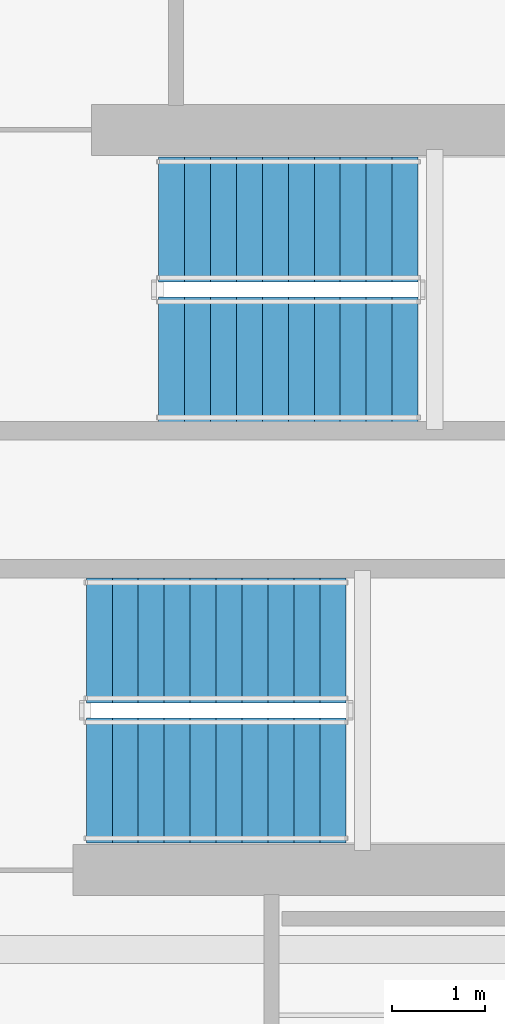
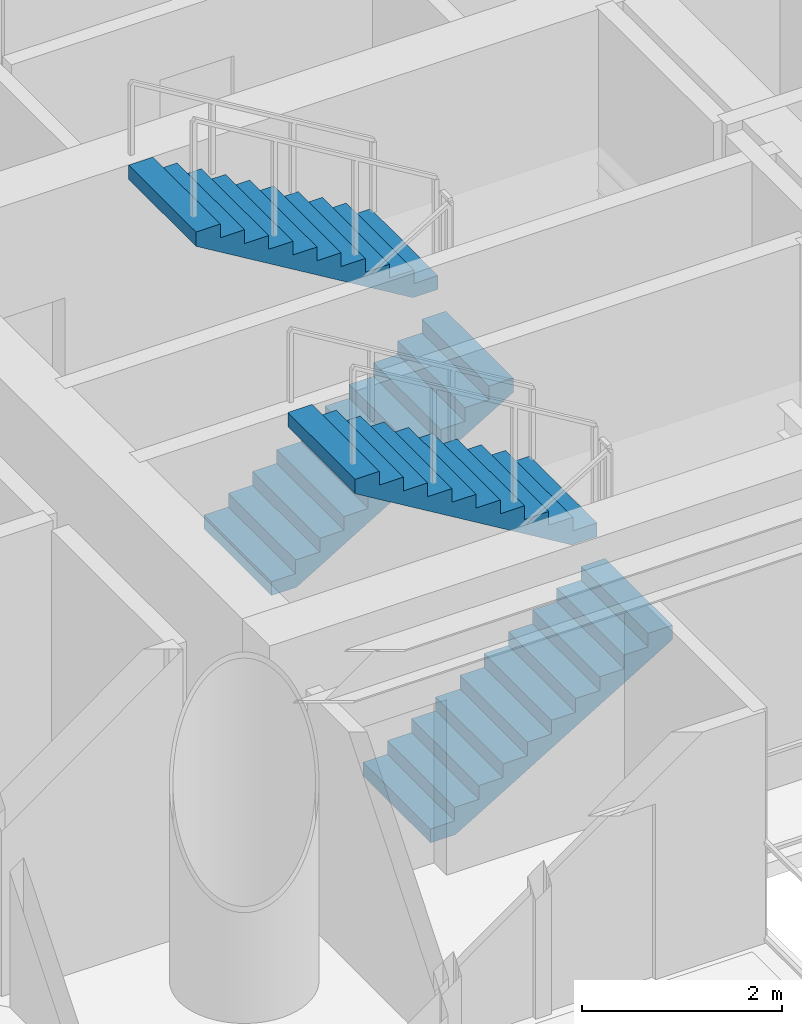
# One storey, part 16 of 19: 4 stair flights, 2 elements without a shape of their own.
"""IFC4 building model written with IfcOpenShell, lengths in metres."""

from ifc_helpers import new_model, si_unit, direction, frame, origin, place, context, subcontext, project, spatial, polyline, outline, extrude, material, type_object, element, aggregate, save


model = new_model("IFC4")

# Units and contexts
model_context = context("Model", 3, precision=1e-05, world=origin(), true_north=direction((0.0, 1.0)))
body_context = subcontext(model_context, "Body", "Model", "MODEL_VIEW")
ifc_project = project(units=[si_unit("LENGTHUNIT", "METRE"), si_unit("AREAUNIT", "SQUARE_METRE"), si_unit("VOLUMEUNIT", "CUBIC_METRE"), si_unit("PLANEANGLEUNIT", "RADIAN"), si_unit("MASSUNIT", "GRAM", prefix="KILO")], contexts=[model_context])

# Site, building, storey
site_placement = place(None, origin())
site = spatial("IfcSite", under=ifc_project, at=site_placement, CompositionType="ELEMENT")
building_placement = place(site_placement, origin())
building = spatial("IfcBuilding", under=site, at=building_placement, Name="Qianvela Tower", CompositionType="ELEMENT")
storey_placement = place(building_placement, frame((0.0, 0.0, 120.0)))
storey = spatial("IfcBuildingStorey", under=building, at=storey_placement, Name="L30", CompositionType="ELEMENT", Elevation=120.0)

# Stair, stair flights
ifc_material_1 = material(Name="Concrete C40", Category="concrete")
stair_type = type_object("IfcStairType", Name="ST-DOGLEG-1350-R168-N22", PredefinedType="HALF_TURN_STAIR", material=ifc_material_1)
stair_1_placement = place(storey_placement, origin())
stair_1 = element("IfcStair", 1, at=stair_1_placement, inside=storey, type_object=stair_type, Name="L30 Smoke-Proof Core Stair ST-1", PredefinedType="HALF_TURN_STAIR")
ifc_material_2 = material(Name="Concrete C40", Category="concrete")
stair_flight_type = type_object("IfcStairFlightType", Name="STF-STRAIGHT-R168-P11", PredefinedType="STRAIGHT", material=ifc_material_2)
stair_flight_1_placement = place(storey_placement, frame((32.199951171875, 30.215087890625, 0.0), z_axis=(0.0, 0.0, 1.0), x_axis=(1.0, 0.0, 0.0)))
stair_flight_1 = element("IfcStairFlight", 2, at=stair_flight_1_placement, type_object=stair_flight_type, Name="ST-1 flight 1", NumberOfRisers=11, NumberOfTreads=10, PredefinedType="STRAIGHT", RiserHeight=0.168181818, TreadLength=0.28, context=body_context, shape_type="SweptSolid", body=[
    extrude(outline(polyline([(0.0, 0.0), (0.0, 0.168212890625), (0.280029296875, 0.168212890625), (0.280029296875, 0.33642578125), (0.56005859375, 0.33642578125), (0.56005859375, 0.504638671875), (0.840087890625, 0.504638671875), (0.840087890625, 0.672607421875), (1.1201171875, 0.672607421875), (1.1201171875, 0.8408203125), (1.39990234375, 0.8408203125), (1.39990234375, 1.009033203125), (1.679931640625, 1.009033203125), (1.679931640625, 1.17724609375), (1.9599609375, 1.17724609375), (1.9599609375, 1.345458984375), (2.239990234375, 1.345458984375), (2.239990234375, 1.513671875), (2.52001953125, 1.513671875), (2.52001953125, 1.681884765625), (2.800048828125, 1.681884765625), (2.800048828125, 1.85009765625), (2.800048828125, 1.5068359375), (0.291015625, 0.0), (0.0, 0.0)])), frame((0.0, 0.675048828125, 0.0), z_axis=(0.0, -1.0, 0.0), x_axis=(1.0, 0.0, 0.0)), (0.0, 0.0, 1.0), 1.35009765625),
])
stair_flight_2_placement = place(storey_placement, frame((35.0, 31.72509765625, 1.85009765625), z_axis=(0.0, 0.0, 1.0), x_axis=(-1.0, 0.0, 0.0)))
stair_flight_2 = element("IfcStairFlight", 3, at=stair_flight_2_placement, type_object=stair_flight_type, Name="ST-1 flight 2", NumberOfRisers=11, NumberOfTreads=10, PredefinedType="STRAIGHT", RiserHeight=0.168181818, TreadLength=0.28, context=body_context, shape_type="SweptSolid", body=[
    extrude(outline(polyline([(0.0, 0.0), (0.0, 0.168212890625), (0.280029296875, 0.168212890625), (0.280029296875, 0.33642578125), (0.56005859375, 0.33642578125), (0.56005859375, 0.504638671875), (0.840087890625, 0.504638671875), (0.840087890625, 0.672607421875), (1.1201171875, 0.672607421875), (1.1201171875, 0.8408203125), (1.39990234375, 0.8408203125), (1.39990234375, 1.009033203125), (1.679931640625, 1.009033203125), (1.679931640625, 1.17724609375), (1.9599609375, 1.17724609375), (1.9599609375, 1.345458984375), (2.239990234375, 1.345458984375), (2.239990234375, 1.513671875), (2.52001953125, 1.513671875), (2.52001953125, 1.681884765625), (2.800048828125, 1.681884765625), (2.800048828125, 1.85009765625), (2.800048828125, 1.5068359375), (0.291015625, 0.0), (0.0, 0.0)])), frame((0.0, 0.675048828125, 0.0), z_axis=(0.0, -1.0, 0.0), x_axis=(1.0, 0.0, 0.0)), (0.0, 0.0, 1.0), 1.35009765625),
])
aggregate(stair_1, [stair_flight_1, stair_flight_2])

stair_2_placement = place(storey_placement, origin())
stair_2 = element("IfcStair", 4, at=stair_2_placement, inside=storey, type_object=stair_type, Name="L30 Smoke-Proof Core Stair ST-2", PredefinedType="HALF_TURN_STAIR")
stair_flight_3_placement = place(storey_placement, frame((31.419921875, 25.675048828125, 0.0), z_axis=(0.0, 0.0, 1.0), x_axis=(1.0, 0.0, 0.0)))
stair_flight_3 = element("IfcStairFlight", 5, at=stair_flight_3_placement, type_object=stair_flight_type, Name="ST-2 flight 1", NumberOfRisers=11, NumberOfTreads=10, PredefinedType="STRAIGHT", RiserHeight=0.168181818, TreadLength=0.28, context=body_context, shape_type="SweptSolid", body=[
    extrude(outline(polyline([(0.0, 0.0), (0.0, 0.168212890625), (0.280029296875, 0.168212890625), (0.280029296875, 0.33642578125), (0.56005859375, 0.33642578125), (0.56005859375, 0.504638671875), (0.840087890625, 0.504638671875), (0.840087890625, 0.672607421875), (1.1201171875, 0.672607421875), (1.1201171875, 0.8408203125), (1.39990234375, 0.8408203125), (1.39990234375, 1.009033203125), (1.679931640625, 1.009033203125), (1.679931640625, 1.17724609375), (1.9599609375, 1.17724609375), (1.9599609375, 1.345458984375), (2.239990234375, 1.345458984375), (2.239990234375, 1.513671875), (2.52001953125, 1.513671875), (2.52001953125, 1.681884765625), (2.800048828125, 1.681884765625), (2.800048828125, 1.85009765625), (2.800048828125, 1.5068359375), (0.291015625, 0.0), (0.0, 0.0)])), frame((0.0, 0.675048828125, 0.0), z_axis=(0.0, -1.0, 0.0), x_axis=(1.0, 0.0, 0.0)), (0.0, 0.0, 1.0), 1.35009765625),
])
stair_flight_4_placement = place(storey_placement, frame((34.219970703125, 27.18505859375, 1.85009765625), z_axis=(0.0, 0.0, 1.0), x_axis=(-1.0, 0.0, 0.0)))
stair_flight_4 = element("IfcStairFlight", 6, at=stair_flight_4_placement, type_object=stair_flight_type, Name="ST-2 flight 2", NumberOfRisers=11, NumberOfTreads=10, PredefinedType="STRAIGHT", RiserHeight=0.168181818, TreadLength=0.28, context=body_context, shape_type="SweptSolid", body=[
    extrude(outline(polyline([(0.0, 0.0), (0.0, 0.168212890625), (0.280029296875, 0.168212890625), (0.280029296875, 0.33642578125), (0.56005859375, 0.33642578125), (0.56005859375, 0.504638671875), (0.840087890625, 0.504638671875), (0.840087890625, 0.672607421875), (1.1201171875, 0.672607421875), (1.1201171875, 0.8408203125), (1.39990234375, 0.8408203125), (1.39990234375, 1.009033203125), (1.679931640625, 1.009033203125), (1.679931640625, 1.17724609375), (1.9599609375, 1.17724609375), (1.9599609375, 1.345458984375), (2.239990234375, 1.345458984375), (2.239990234375, 1.513671875), (2.52001953125, 1.513671875), (2.52001953125, 1.681884765625), (2.800048828125, 1.681884765625), (2.800048828125, 1.85009765625), (2.800048828125, 1.5068359375), (0.291015625, 0.0), (0.0, 0.0)])), frame((0.0, 0.675048828125, 0.0), z_axis=(0.0, -1.0, 0.0), x_axis=(1.0, 0.0, 0.0)), (0.0, 0.0, 1.0), 1.35009765625),
])
aggregate(stair_2, [stair_flight_3, stair_flight_4])

save(model, "model.ifc")
